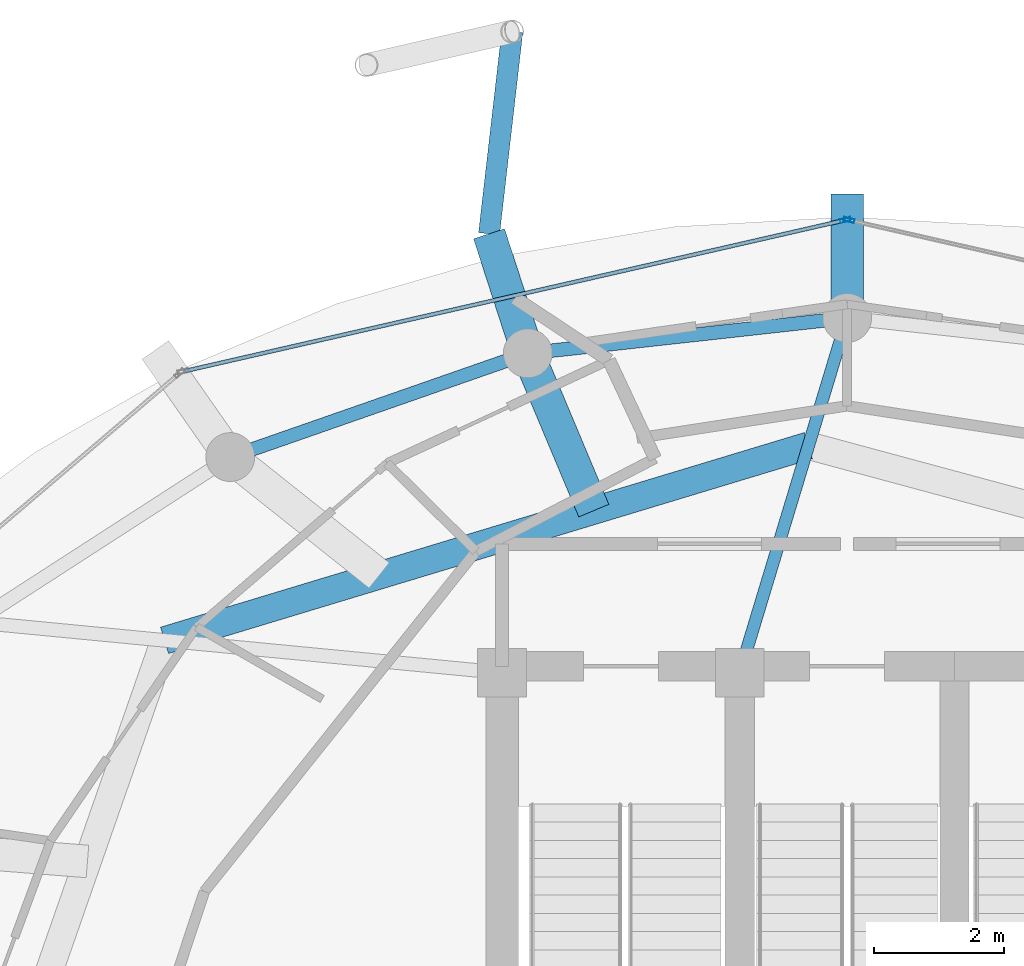
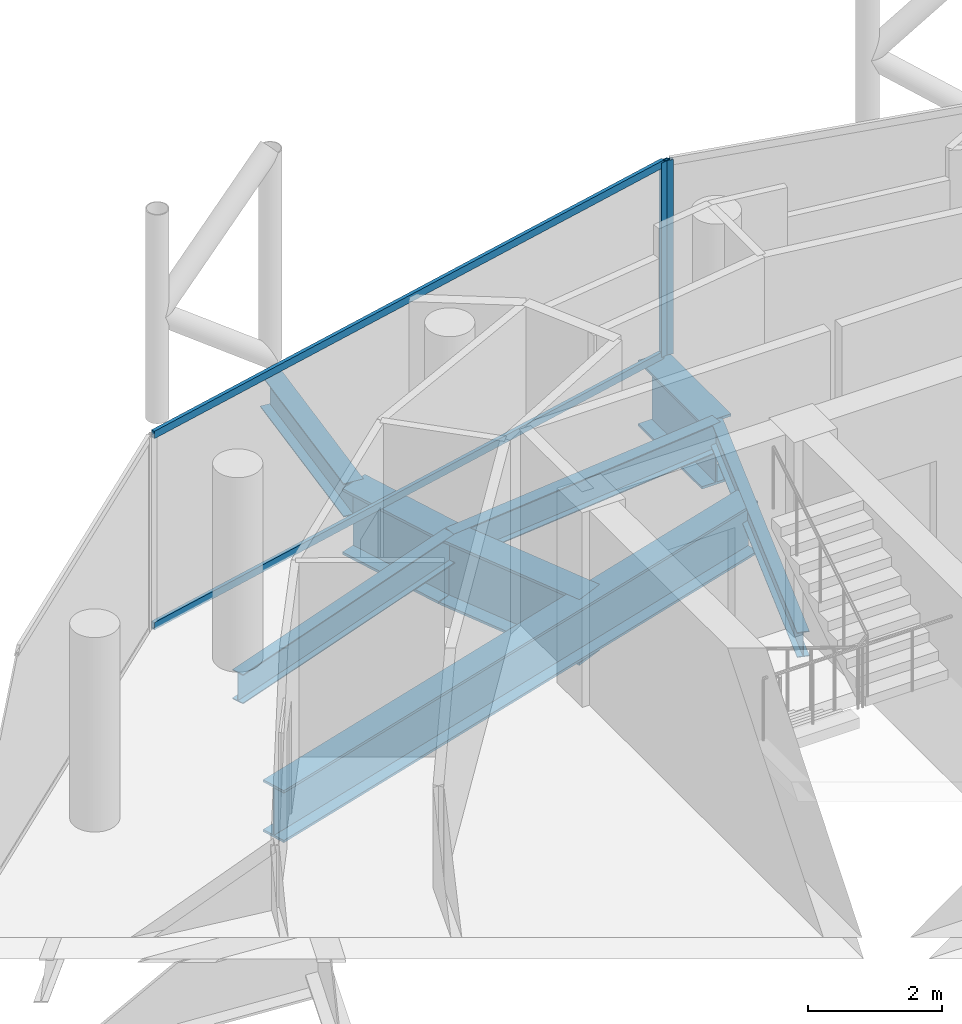
# One storey, part 17 of 25: 8 beams, 4 members, 2 elements without a shape of their own.
"""IFC4 building model written with IfcOpenShell, lengths in metres."""

from ifc_helpers import new_model, si_unit, direction, frame, origin, origin_2d, place, context, subcontext, project, spatial, hollow_rectangle, i_section, extrude, material, layer, layer_set, material_profile, profile_set, type_object, element, aggregate, save


model = new_model("IFC4")

# Units and contexts
model_context = context("Model", 3, precision=1e-05, world=origin(), true_north=direction((0.0, 1.0)))
body_context = subcontext(model_context, "Body", "Model", "MODEL_VIEW")
ifc_project = project(units=[si_unit("LENGTHUNIT", "METRE"), si_unit("AREAUNIT", "SQUARE_METRE"), si_unit("VOLUMEUNIT", "CUBIC_METRE"), si_unit("PLANEANGLEUNIT", "RADIAN"), si_unit("MASSUNIT", "GRAM", prefix="KILO")], contexts=[model_context])

# Site, building, storey
site_placement = place(None, origin())
site = spatial("IfcSite", under=ifc_project, at=site_placement, CompositionType="ELEMENT")
building_placement = place(site_placement, origin())
building = spatial("IfcBuilding", under=site, at=building_placement, Name="Nuhasar Tower", CompositionType="ELEMENT")
storey_placement = place(building_placement, frame((0.0, 0.0, 255.60009765625)))
storey = spatial("IfcBuildingStorey", under=building, at=storey_placement, Name="L63", CompositionType="ELEMENT", Elevation=255.60009765625)

# Beams
ifc_material_1 = material(Name="Steel S355", Category="steel")
ifc_material_profile_1 = material_profile(ifc_material_1, i_section(OverallWidth=0.18994140625, OverallDepth=0.45703125, WebThickness=0.009033203125, FlangeThickness=0.014404296875, at=origin_2d()), Name="W18X50")
ifc_profile_set_1 = profile_set([ifc_material_profile_1], Name="Steel S355")
beam_type_1 = type_object("IfcBeamType", Name="BM-RAD-W18X50", PredefinedType="BEAM", material=ifc_profile_set_1)
beam_1_placement = place(storey_placement, frame((37.35009765625, 37.300048828125, -0.488037109375), z_axis=(0.289750350206, 0.957102259195, 0.0), x_axis=(-0.957102259195, 0.289750350206, 0.0)))
element("IfcBeam", 1, at=beam_1_placement, inside=storey, type_object=beam_type_1, Name="L63 Radial Floor Girder 06", PredefinedType="BEAM", context=body_context, shape_type="SweptSolid", body=[
    extrude(i_section(OverallWidth=0.18994140625, OverallDepth=0.45703125, WebThickness=0.009033203125, FlangeThickness=0.014404296875, at=origin_2d()), origin(), (0.0, 0.0, 1.0), 5.6943359375),
])
ifc_material_profile_2 = material_profile(ifc_material_1, i_section(OverallWidth=0.2099609375, OverallDepth=0.537109375, WebThickness=0.010986328125, FlangeThickness=0.017333984375, at=origin_2d()), Name="W21X68")
ifc_profile_set_2 = profile_set([ifc_material_profile_2], Name="Steel S355")
beam_type_2 = type_object("IfcBeamType", Name="BM-RING-W21X68", PredefinedType="SPANDREL", material=ifc_profile_set_2)
beam_2_placement = place(storey_placement, frame((39.0, 42.75, -0.528076171875), z_axis=(-0.99392889943, -0.110024283128, 0.0), x_axis=(0.110024283128, -0.99392889943, 0.0)))
element("IfcBeam", 2, at=beam_2_placement, inside=storey, type_object=beam_type_2, Name="L63 Perimeter Ring Spandrel 07", PredefinedType="SPANDREL", context=body_context, shape_type="SweptSolid", body=[
    extrude(i_section(OverallWidth=0.2099609375, OverallDepth=0.537109375, WebThickness=0.010986328125, FlangeThickness=0.017333984375, at=origin_2d()), origin(), (0.0, 0.0, 1.0), 4.93505859375),
])
beam_3_placement = place(storey_placement, frame((34.094970703125, 42.20703125, -0.528076171875), z_axis=(-0.944214043504, -0.329332415729, 0.0), x_axis=(0.329332415729, -0.944214043504, 0.0)))
element("IfcBeam", 3, at=beam_3_placement, inside=storey, type_object=beam_type_2, Name="L63 Perimeter Ring Spandrel 08", PredefinedType="SPANDREL", context=body_context, shape_type="SweptSolid", body=[
    extrude(i_section(OverallWidth=0.2099609375, OverallDepth=0.537109375, WebThickness=0.010986328125, FlangeThickness=0.017333984375, at=origin_2d()), origin(), (0.0, 0.0, 1.0), 4.840087890625),
])
ifc_material_profile_3 = material_profile(ifc_material_1, i_section(OverallWidth=0.323974609375, OverallDepth=0.611083984375, WebThickness=0.0126953125, FlangeThickness=0.01904296875, at=origin_2d()), Name="W24X104")
ifc_profile_set_3 = profile_set([ifc_material_profile_3], Name="Steel S355")
beam_type_3 = type_object("IfcBeamType", Name="BM-TIE-W24X104", PredefinedType="BEAM", material=ifc_profile_set_3)
beam_4_placement = place(storey_placement, frame((33.5, 44.0419921875, -0.565185546875), z_axis=(0.114132222314, 0.993465568517, 0.0), x_axis=(-0.993465568517, 0.114132222314, 0.0)))
element("IfcBeam", 4, at=beam_4_placement, inside=storey, type_object=beam_type_3, Name="L63 Exoskeleton Node Tie Beam 04", PredefinedType="BEAM", context=body_context, shape_type="SweptSolid", body=[
    extrude(i_section(OverallWidth=0.323974609375, OverallDepth=0.611083984375, WebThickness=0.0126953125, FlangeThickness=0.01904296875, at=origin_2d()), origin(), (0.0, 0.0, 1.0), 3.12744140625),
])
ifc_material_2 = material(Name="Steel S460", Category="steel")
ifc_material_profile_4 = material_profile(ifc_material_2, i_section(OverallWidth=0.423095703125, OverallDepth=0.947998046875, WebThickness=0.02392578125, FlangeThickness=0.042724609375, at=origin_2d()), Name="W36X302")
ifc_profile_set_4 = profile_set([ifc_material_profile_4], Name="Steel S460")
beam_type_4 = type_object("IfcBeamType", Name="BM-TMD-W36X302", PredefinedType="USERDEFINED", material=ifc_profile_set_4)
beam_5_placement = place(storey_placement, frame((38.406005859375, 40.7880859375, -0.734130859375), z_axis=(-0.957210818407, -0.289391515294, 0.0), x_axis=(0.289391515294, -0.957210818407, 0.0)))
element("IfcBeam", 5, at=beam_5_placement, inside=storey, type_object=beam_type_4, Name="L63 Inner Header Beam 06", ObjectType="GIRDER", PredefinedType="USERDEFINED", context=body_context, shape_type="SweptSolid", body=[
    extrude(i_section(OverallWidth=0.423095703125, OverallDepth=0.947998046875, WebThickness=0.02392578125, FlangeThickness=0.042724609375, at=origin_2d()), origin(), (0.0, 0.0, 1.0), 10.33203125),
])
ifc_material_profile_5 = material_profile(ifc_material_2, i_section(OverallWidth=0.5, OverallDepth=1.199951171875, WebThickness=0.02587890625, FlangeThickness=0.044921875, at=origin_2d()), Name="PG1200X500")
ifc_profile_set_5 = profile_set([ifc_material_profile_5], Name="Steel S460")
beam_type_5 = type_object("IfcBeamType", Name="BM-XFER-PG1200", PredefinedType="USERDEFINED", material=ifc_profile_set_5)
beam_6_placement = place(storey_placement, frame((39.0, 42.75, -0.860107421875), z_axis=(0.0, 1.0, 0.0), x_axis=(-1.0, 0.0, 0.0)))
element("IfcBeam", 6, at=beam_6_placement, inside=storey, type_object=beam_type_5, Name="L63 Radial Step Transfer Girder 06", ObjectType="GIRDER", PredefinedType="USERDEFINED", context=body_context, shape_type="SweptSolid", body=[
    extrude(i_section(OverallWidth=0.5, OverallDepth=1.199951171875, WebThickness=0.02587890625, FlangeThickness=0.044921875, at=origin_2d()), origin(), (0.0, 0.0, 1.0), 1.89990234375),
])
beam_7_placement = place(storey_placement, frame((35.10888671875, 39.791015625, -0.860107421875), z_axis=(-0.386969503648, 0.922092513388, 0.0), x_axis=(-0.922092513388, -0.386969503648, 0.0)))
element("IfcBeam", 7, at=beam_7_placement, inside=storey, type_object=beam_type_5, Name="L63 Inner Column Transfer Girder 08", ObjectType="GIRDER", PredefinedType="USERDEFINED", context=body_context, shape_type="SweptSolid", body=[
    extrude(i_section(OverallWidth=0.5, OverallDepth=1.199951171875, WebThickness=0.02587890625, FlangeThickness=0.044921875, at=origin_2d()), origin(), (0.0, 0.0, 1.0), 2.6201171875),
])
beam_8_placement = place(storey_placement, frame((34.094970703125, 42.20703125, -0.860107421875), z_axis=(-0.308433510834, 0.951245903746, 0.0), x_axis=(-0.951245903746, -0.308433510834, 0.0)))
element("IfcBeam", 8, at=beam_8_placement, inside=storey, type_object=beam_type_5, Name="L63 Outer Column Step Transfer Girder 08", ObjectType="GIRDER", PredefinedType="USERDEFINED", context=body_context, shape_type="SweptSolid", body=[
    extrude(i_section(OverallWidth=0.5, OverallDepth=1.199951171875, WebThickness=0.02587890625, FlangeThickness=0.044921875, at=origin_2d()), origin(), (0.0, 0.0, 1.0), 1.928955078125),
])

# Curtain wall, member
ifc_material_3 = material(Name="Aluminium 6063-T6", Category="aluminium")
ifc_layer = layer(ifc_material_3, 0.18994140625)
ifc_layer_set = layer_set([ifc_layer], Name="Aluminium 6063-T6")
curtain_wall_type = type_object("IfcCurtainWallType", Name="CW-Z4-PEN", PredefinedType="NOTDEFINED", material=ifc_layer_set)
curtain_wall_1_placement = place(storey_placement, origin())
curtain_wall_1 = element("IfcCurtainWall", 9, at=curtain_wall_1_placement, inside=storey, type_object=curtain_wall_type, Name="L63 Unitised Curtain Wall 03", PredefinedType="NOTDEFINED")
ifc_material_profile_6 = material_profile(ifc_material_3, hollow_rectangle(XDim=0.06005859375, YDim=0.1650390625, WallThickness=0.0048828125, at=origin_2d()), Name="CWM-5")
ifc_profile_set_6 = profile_set([ifc_material_profile_6], Name="Aluminium 6063-T6")
member_type_1 = type_object("IfcMemberType", Name="CW-MUL-S5", PredefinedType="MULLION", material=ifc_profile_set_6)
member_1_placement = place(storey_placement, frame((39.029296875, 44.25341796875, 0.0), z_axis=(0.0, 0.0, 1.0), x_axis=(-0.222889487645, -0.97484371891, 0.0)))
member_1 = element("IfcMember", 10, at=member_1_placement, type_object=member_type_1, Name="CW-Z4 mullion 2", PredefinedType="MULLION", context=body_context, shape_type="SweptSolid", body=[
    extrude(hollow_rectangle(XDim=0.06005859375, YDim=0.1650390625, WallThickness=0.0048828125, at=origin_2d()), origin(), (0.0, 0.0, 1.0), 3.539794921875),
])
aggregate(curtain_wall_1, [member_1])

# Curtain wall, members
curtain_wall_2_placement = place(storey_placement, origin())
curtain_wall_2 = element("IfcCurtainWall", 11, at=curtain_wall_2_placement, inside=storey, type_object=curtain_wall_type, Name="L63 Unitised Curtain Wall 04", PredefinedType="NOTDEFINED")
member_2_placement = place(storey_placement, frame((38.970703125, 44.25341796875, 0.0), z_axis=(0.0, 0.0, 1.0), x_axis=(0.222889487645, -0.97484371891, 0.0)))
member_2 = element("IfcMember", 12, at=member_2_placement, type_object=member_type_1, Name="CW-Z4 mullion 1", PredefinedType="MULLION", context=body_context, shape_type="SweptSolid", body=[
    extrude(hollow_rectangle(XDim=0.06005859375, YDim=0.1650390625, WallThickness=0.0048828125, at=origin_2d()), origin(), (0.0, 0.0, 1.0), 3.539794921875),
])
ifc_material_profile_7 = material_profile(ifc_material_3, hollow_rectangle(XDim=0.06005859375, YDim=0.135009765625, WallThickness=0.00439453125, at=origin_2d()), Name="CWT-5")
ifc_profile_set_7 = profile_set([ifc_material_profile_7], Name="Aluminium 6063-T6")
member_type_2 = type_object("IfcMemberType", Name="CW-TRN-S5", PredefinedType="USERDEFINED", material=ifc_profile_set_7)
member_3_placement = place(storey_placement, frame((38.94140625, 44.24658203125, 0.02978515625), z_axis=(-0.974843752401, -0.222889341163, 0.0), x_axis=(0.222889341163, -0.974843752401, 0.0)))
member_3 = element("IfcMember", 13, at=member_3_placement, type_object=member_type_2, Name="CW-Z4 transom 1.1", ObjectType="TRANSOM", PredefinedType="USERDEFINED", context=body_context, shape_type="SweptSolid", body=[
    extrude(hollow_rectangle(XDim=0.06005859375, YDim=0.135009765625, WallThickness=0.00439453125, at=origin_2d()), origin(), (0.0, 0.0, 1.0), 10.3740234375),
])
member_4_placement = place(storey_placement, frame((38.94140625, 44.24658203125, 3.510009765625), z_axis=(-0.974843752401, -0.222889341163, 0.0), x_axis=(0.222889341163, -0.974843752401, 0.0)))
member_4 = element("IfcMember", 14, at=member_4_placement, type_object=member_type_2, Name="CW-Z4 transom 1.2", ObjectType="TRANSOM", PredefinedType="USERDEFINED", context=body_context, shape_type="SweptSolid", body=[
    extrude(hollow_rectangle(XDim=0.06005859375, YDim=0.135009765625, WallThickness=0.00439453125, at=origin_2d()), origin(), (0.0, 0.0, 1.0), 10.3740234375),
])
aggregate(curtain_wall_2, [member_2, member_3, member_4])

save(model, "model.ifc")
